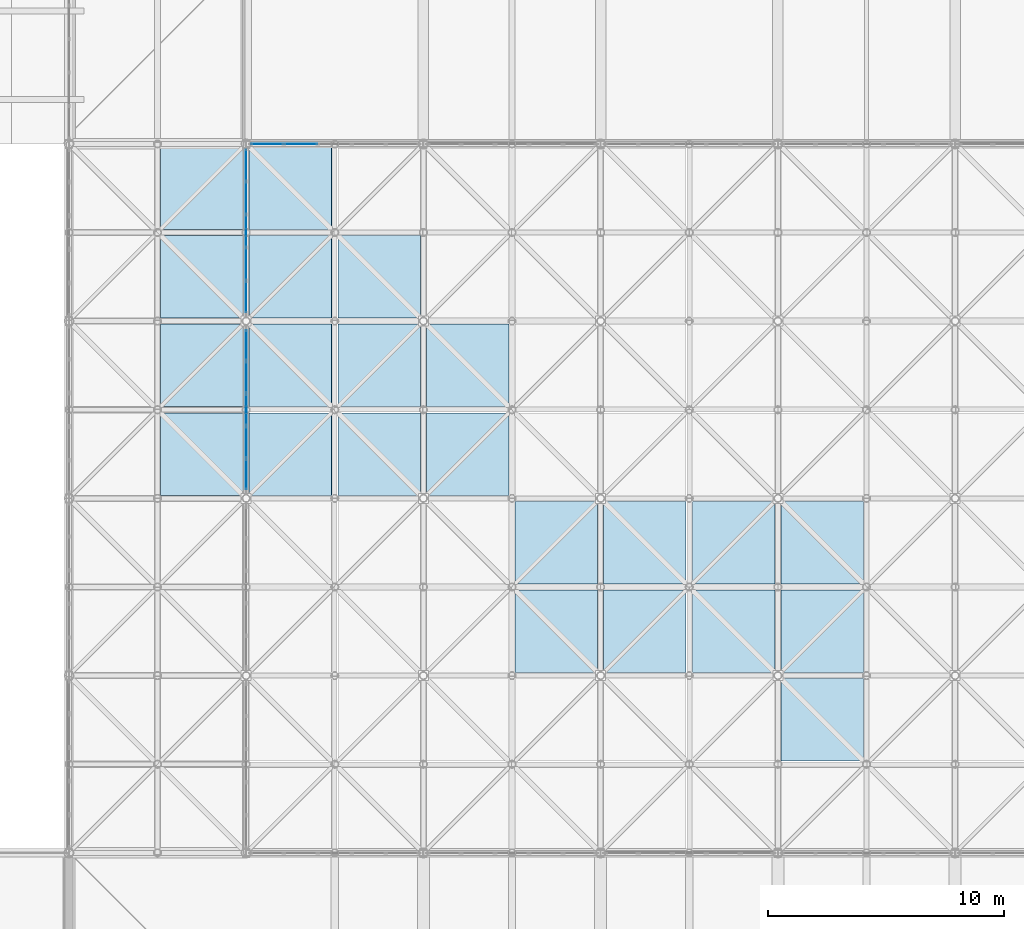
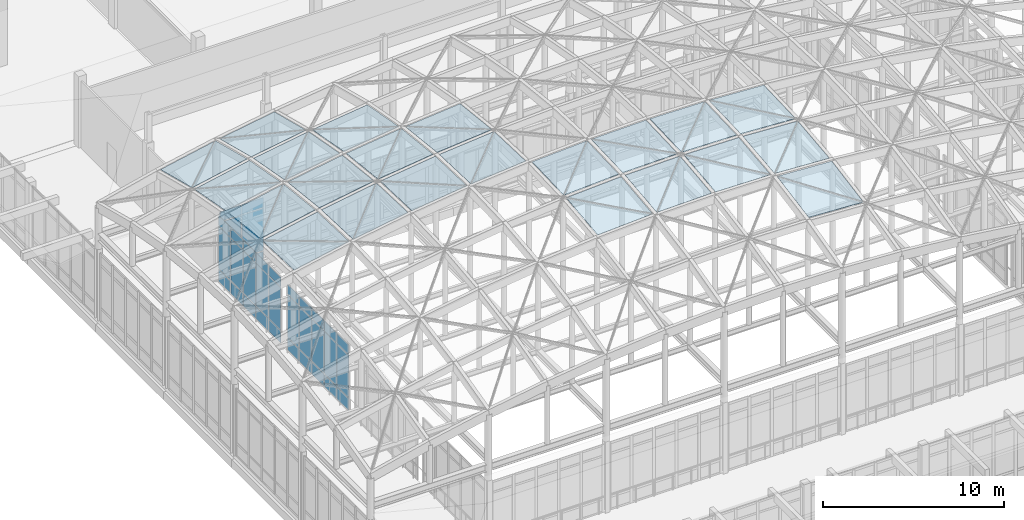
# One storey, part 81 of 131: 58 plates, 4 elements without a shape of their own.
"""IFC4 building model written with IfcOpenShell, lengths in metres."""

from ifc_helpers import new_model, si_unit, direction, frame, origin, origin_2d, place, context, subcontext, project, spatial, polyline, rectangle, outline, extrude, material, layer, layer_set, type_object, element, aggregate, save


model = new_model("IFC4")

# Units and contexts
model_context = context("Model", 3, precision=1e-05, world=origin(), true_north=direction((0.0, 1.0)))
body_context = subcontext(model_context, "Body", "Model", "MODEL_VIEW")
ifc_project = project(units=[si_unit("LENGTHUNIT", "METRE"), si_unit("AREAUNIT", "SQUARE_METRE"), si_unit("VOLUMEUNIT", "CUBIC_METRE"), si_unit("PLANEANGLEUNIT", "RADIAN"), si_unit("MASSUNIT", "GRAM", prefix="KILO")], contexts=[model_context])

# Site, building, storey
site_placement = place(None, origin())
site = spatial("IfcSite", under=ifc_project, at=site_placement, CompositionType="ELEMENT")
building_placement = place(site_placement, origin())
building = spatial("IfcBuilding", under=site, at=building_placement, Name="Dalvernix Boulevard General Hospital", CompositionType="ELEMENT")
storey_placement = place(building_placement, frame((0.0, 0.0, 9.300048828125)))
storey = spatial("IfcBuildingStorey", under=building, at=storey_placement, Name="L02", CompositionType="ELEMENT", Elevation=9.300048828125)

# Curtain wall, plates
ifc_material_1 = material(Name="Thermally broken aluminium and solar-control glass curtain wall", Category="aluminium")
ifc_layer_1 = layer(ifc_material_1, 0.159912109375)
ifc_layer_set_1 = layer_set([ifc_layer_1], Name="Thermally broken aluminium and solar-control glass curtain wall (CW-CW-A-70x46)")
curtain_wall_type_1 = type_object("IfcCurtainWallType", Name="CW-CW-A-70x46", PredefinedType="USERDEFINED", material=ifc_layer_set_1)
curtain_wall_1_placement = place(storey_placement, origin())
curtain_wall_1 = element("IfcCurtainWall", 1, at=curtain_wall_1_placement, inside=storey, type_object=curtain_wall_type_1, Name="L02 curtain wall CW-A-70x46 9-7", ObjectType="GLAZED FACADE", PredefinedType="USERDEFINED")
ifc_material_2 = material(Name="Double-glazed solar-control low-emissivity glass", Category="glass")
ifc_layer_2 = layer(ifc_material_2, 0.02392578125)
ifc_layer_set_2 = layer_set([ifc_layer_2], Name="Double-glazed solar-control low-emissivity glass (PLT-CW-P1)")
plate_type_1 = type_object("IfcPlateType", Name="PLT-CW-P1", PredefinedType="CURTAIN_PANEL", material=ifc_layer_set_2)
plate_1_placement = place(storey_placement, frame((67.5, 60.594970703125, 0.059814453125), z_axis=(0.0, 0.0, 1.0), x_axis=(0.0, -1.0, 0.0)))
plate_1 = element("IfcPlate", 2, at=plate_1_placement, type_object=plate_type_1, Name="CW-A-70x46 panel 1.1", PredefinedType="CURTAIN_PANEL", context=body_context, shape_type="SweptSolid", body=[
    extrude(rectangle(XDim=1.31005859375, YDim=0.02392578125, at=origin_2d()), origin(), (0.0, 0.0, 1.0), 0.81005859375),
])
plate_2_placement = place(storey_placement, frame((67.5, 60.594970703125, 0.9296875), z_axis=(0.0, 0.0, 1.0), x_axis=(0.0, -1.0, 0.0)))
plate_2 = element("IfcPlate", 3, at=plate_2_placement, type_object=plate_type_1, Name="CW-A-70x46 panel 1.2", PredefinedType="CURTAIN_PANEL", context=body_context, shape_type="SweptSolid", body=[
    extrude(rectangle(XDim=1.31005859375, YDim=0.02392578125, at=origin_2d()), origin(), (0.0, 0.0, 1.0), 2.840087890625),
])
plate_3_placement = place(storey_placement, frame((67.5, 60.594970703125, 3.830078125), z_axis=(0.0, 0.0, 1.0), x_axis=(0.0, -1.0, 0.0)))
plate_3 = element("IfcPlate", 4, at=plate_3_placement, type_object=plate_type_1, Name="CW-A-70x46 panel 1.3", PredefinedType="CURTAIN_PANEL", context=body_context, shape_type="SweptSolid", body=[
    extrude(rectangle(XDim=1.31005859375, YDim=0.02392578125, at=origin_2d()), origin(), (0.0, 0.0, 1.0), 0.659912109375),
])
plate_4_placement = place(storey_placement, frame((67.5, 59.2099609375, 0.059814453125), z_axis=(0.0, 0.0, 1.0), x_axis=(0.0, -1.0, 0.0)))
plate_4 = element("IfcPlate", 5, at=plate_4_placement, type_object=plate_type_1, Name="CW-A-70x46 panel 2.1", PredefinedType="CURTAIN_PANEL", context=body_context, shape_type="SweptSolid", body=[
    extrude(rectangle(XDim=1.340087890625, YDim=0.02392578125, at=origin_2d()), origin(), (0.0, 0.0, 1.0), 0.81005859375),
])
plate_5_placement = place(storey_placement, frame((67.5, 59.2099609375, 0.9296875), z_axis=(0.0, 0.0, 1.0), x_axis=(0.0, -1.0, 0.0)))
plate_5 = element("IfcPlate", 6, at=plate_5_placement, type_object=plate_type_1, Name="CW-A-70x46 panel 2.2", PredefinedType="CURTAIN_PANEL", context=body_context, shape_type="SweptSolid", body=[
    extrude(rectangle(XDim=1.340087890625, YDim=0.02392578125, at=origin_2d()), origin(), (0.0, 0.0, 1.0), 2.840087890625),
])
plate_6_placement = place(storey_placement, frame((67.5, 59.2099609375, 3.830078125), z_axis=(0.0, 0.0, 1.0), x_axis=(0.0, -1.0, 0.0)))
plate_6 = element("IfcPlate", 7, at=plate_6_placement, type_object=plate_type_1, Name="CW-A-70x46 panel 2.3", PredefinedType="CURTAIN_PANEL", context=body_context, shape_type="SweptSolid", body=[
    extrude(rectangle(XDim=1.340087890625, YDim=0.02392578125, at=origin_2d()), origin(), (0.0, 0.0, 1.0), 0.659912109375),
])
plate_7_placement = place(storey_placement, frame((67.5, 57.81005859375, 0.059814453125), z_axis=(0.0, 0.0, 1.0), x_axis=(0.0, -1.0, 0.0)))
plate_7 = element("IfcPlate", 8, at=plate_7_placement, type_object=plate_type_1, Name="CW-A-70x46 panel 3.1", PredefinedType="CURTAIN_PANEL", context=body_context, shape_type="SweptSolid", body=[
    extrude(rectangle(XDim=1.340087890625, YDim=0.02392578125, at=origin_2d()), origin(), (0.0, 0.0, 1.0), 0.81005859375),
])
plate_8_placement = place(storey_placement, frame((67.5, 57.81005859375, 0.9296875), z_axis=(0.0, 0.0, 1.0), x_axis=(0.0, -1.0, 0.0)))
plate_8 = element("IfcPlate", 9, at=plate_8_placement, type_object=plate_type_1, Name="CW-A-70x46 panel 3.2", PredefinedType="CURTAIN_PANEL", context=body_context, shape_type="SweptSolid", body=[
    extrude(rectangle(XDim=1.340087890625, YDim=0.02392578125, at=origin_2d()), origin(), (0.0, 0.0, 1.0), 2.840087890625),
])
plate_9_placement = place(storey_placement, frame((67.5, 57.81005859375, 3.830078125), z_axis=(0.0, 0.0, 1.0), x_axis=(0.0, -1.0, 0.0)))
plate_9 = element("IfcPlate", 10, at=plate_9_placement, type_object=plate_type_1, Name="CW-A-70x46 panel 3.3", PredefinedType="CURTAIN_PANEL", context=body_context, shape_type="SweptSolid", body=[
    extrude(rectangle(XDim=1.340087890625, YDim=0.02392578125, at=origin_2d()), origin(), (0.0, 0.0, 1.0), 0.659912109375),
])
plate_10_placement = place(storey_placement, frame((67.5, 56.409912109375, 0.059814453125), z_axis=(0.0, 0.0, 1.0), x_axis=(0.0, -1.0, 0.0)))
plate_10 = element("IfcPlate", 11, at=plate_10_placement, type_object=plate_type_1, Name="CW-A-70x46 panel 4.1", PredefinedType="CURTAIN_PANEL", context=body_context, shape_type="SweptSolid", body=[
    extrude(rectangle(XDim=1.340087890625, YDim=0.02392578125, at=origin_2d()), origin(), (0.0, 0.0, 1.0), 0.81005859375),
])
plate_11_placement = place(storey_placement, frame((67.5, 56.409912109375, 0.9296875), z_axis=(0.0, 0.0, 1.0), x_axis=(0.0, -1.0, 0.0)))
plate_11 = element("IfcPlate", 12, at=plate_11_placement, type_object=plate_type_1, Name="CW-A-70x46 panel 4.2", PredefinedType="CURTAIN_PANEL", context=body_context, shape_type="SweptSolid", body=[
    extrude(rectangle(XDim=1.340087890625, YDim=0.02392578125, at=origin_2d()), origin(), (0.0, 0.0, 1.0), 2.840087890625),
])
plate_12_placement = place(storey_placement, frame((67.5, 56.409912109375, 3.830078125), z_axis=(0.0, 0.0, 1.0), x_axis=(0.0, -1.0, 0.0)))
plate_12 = element("IfcPlate", 13, at=plate_12_placement, type_object=plate_type_1, Name="CW-A-70x46 panel 4.3", PredefinedType="CURTAIN_PANEL", context=body_context, shape_type="SweptSolid", body=[
    extrude(rectangle(XDim=1.340087890625, YDim=0.02392578125, at=origin_2d()), origin(), (0.0, 0.0, 1.0), 0.659912109375),
])
plate_13_placement = place(storey_placement, frame((67.5, 55.02490234375, 0.059814453125), z_axis=(0.0, 0.0, 1.0), x_axis=(0.0, -1.0, 0.0)))
plate_13 = element("IfcPlate", 14, at=plate_13_placement, type_object=plate_type_1, Name="CW-A-70x46 panel 5.1", PredefinedType="CURTAIN_PANEL", context=body_context, shape_type="SweptSolid", body=[
    extrude(rectangle(XDim=1.31005859375, YDim=0.02392578125, at=origin_2d()), origin(), (0.0, 0.0, 1.0), 0.81005859375),
])
plate_14_placement = place(storey_placement, frame((67.5, 55.02490234375, 0.9296875), z_axis=(0.0, 0.0, 1.0), x_axis=(0.0, -1.0, 0.0)))
plate_14 = element("IfcPlate", 15, at=plate_14_placement, type_object=plate_type_1, Name="CW-A-70x46 panel 5.2", PredefinedType="CURTAIN_PANEL", context=body_context, shape_type="SweptSolid", body=[
    extrude(rectangle(XDim=1.31005859375, YDim=0.02392578125, at=origin_2d()), origin(), (0.0, 0.0, 1.0), 2.840087890625),
])
plate_15_placement = place(storey_placement, frame((67.5, 55.02490234375, 3.830078125), z_axis=(0.0, 0.0, 1.0), x_axis=(0.0, -1.0, 0.0)))
plate_15 = element("IfcPlate", 16, at=plate_15_placement, type_object=plate_type_1, Name="CW-A-70x46 panel 5.3", PredefinedType="CURTAIN_PANEL", context=body_context, shape_type="SweptSolid", body=[
    extrude(rectangle(XDim=1.31005859375, YDim=0.02392578125, at=origin_2d()), origin(), (0.0, 0.0, 1.0), 0.659912109375),
])
aggregate(curtain_wall_1, [plate_1, plate_2, plate_3, plate_4, plate_5, plate_6, plate_7, plate_8, plate_9, plate_10, plate_11, plate_12, plate_13, plate_14, plate_15])

ifc_layer_3 = layer(ifc_material_1, 0.179931640625)
ifc_layer_set_3 = layer_set([ifc_layer_3], Name="Thermally broken aluminium and solar-control glass curtain wall (CW-CW-B-72x46)")
curtain_wall_type_2 = type_object("IfcCurtainWallType", Name="CW-CW-B-72x46", PredefinedType="USERDEFINED", material=ifc_layer_set_3)
curtain_wall_2_placement = place(storey_placement, origin())
curtain_wall_2 = element("IfcCurtainWall", 17, at=curtain_wall_2_placement, inside=storey, type_object=curtain_wall_type_2, Name="L02 curtain wall CW-B-72x46 9-8", ObjectType="GLAZED FACADE", PredefinedType="USERDEFINED")
ifc_layer_4 = layer(ifc_material_2, 0.028076171875)
ifc_layer_set_4 = layer_set([ifc_layer_4], Name="Double-glazed solar-control low-emissivity glass (PLT-CW-P2)")
plate_type_2 = type_object("IfcPlateType", Name="PLT-CW-P2", PredefinedType="CURTAIN_PANEL", material=ifc_layer_set_4)
plate_16_placement = place(storey_placement, frame((69.81396484375, 61.5, 0.06494140625), z_axis=(0.0, 0.0, 1.0), x_axis=(-1.0, 0.0, 0.0)))
plate_16 = element("IfcPlate", 18, at=plate_16_placement, type_object=plate_type_2, Name="CW-B-72x46 panel 4.1", PredefinedType="CURTAIN_PANEL", context=body_context, shape_type="SweptSolid", body=[
    extrude(rectangle(XDim=1.37109375, YDim=0.028076171875, at=origin_2d()), origin(), (0.0, 0.0, 1.0), 0.802490234375),
])
plate_17_placement = place(storey_placement, frame((69.81396484375, 61.5, 0.932373046875), z_axis=(0.0, 0.0, 1.0), x_axis=(-1.0, 0.0, 0.0)))
plate_17 = element("IfcPlate", 19, at=plate_17_placement, type_object=plate_type_2, Name="CW-B-72x46 panel 4.2", PredefinedType="CURTAIN_PANEL", context=body_context, shape_type="SweptSolid", body=[
    extrude(rectangle(XDim=1.37109375, YDim=0.028076171875, at=origin_2d()), origin(), (0.0, 0.0, 1.0), 2.8349609375),
])
plate_18_placement = place(storey_placement, frame((69.81396484375, 61.5, 3.83251953125), z_axis=(0.0, 0.0, 1.0), x_axis=(-1.0, 0.0, 0.0)))
plate_18 = element("IfcPlate", 20, at=plate_18_placement, type_object=plate_type_2, Name="CW-B-72x46 panel 4.3", PredefinedType="CURTAIN_PANEL", context=body_context, shape_type="SweptSolid", body=[
    extrude(rectangle(XDim=1.37109375, YDim=0.028076171875, at=origin_2d()), origin(), (0.0, 0.0, 1.0), 0.652587890625),
])
plate_19_placement = place(storey_placement, frame((68.394287109375, 61.5, 0.06494140625), z_axis=(0.0, 0.0, 1.0), x_axis=(-1.0, 0.0, 0.0)))
plate_19 = element("IfcPlate", 21, at=plate_19_placement, type_object=plate_type_2, Name="CW-B-72x46 panel 5.1", PredefinedType="CURTAIN_PANEL", context=body_context, shape_type="SweptSolid", body=[
    extrude(rectangle(XDim=1.33837890625, YDim=0.028076171875, at=origin_2d()), origin(), (0.0, 0.0, 1.0), 0.802490234375),
])
plate_20_placement = place(storey_placement, frame((68.394287109375, 61.5, 0.932373046875), z_axis=(0.0, 0.0, 1.0), x_axis=(-1.0, 0.0, 0.0)))
plate_20 = element("IfcPlate", 22, at=plate_20_placement, type_object=plate_type_2, Name="CW-B-72x46 panel 5.2", PredefinedType="CURTAIN_PANEL", context=body_context, shape_type="SweptSolid", body=[
    extrude(rectangle(XDim=1.33837890625, YDim=0.028076171875, at=origin_2d()), origin(), (0.0, 0.0, 1.0), 2.8349609375),
])
plate_21_placement = place(storey_placement, frame((68.394287109375, 61.5, 3.83251953125), z_axis=(0.0, 0.0, 1.0), x_axis=(-1.0, 0.0, 0.0)))
plate_21 = element("IfcPlate", 23, at=plate_21_placement, type_object=plate_type_2, Name="CW-B-72x46 panel 5.3", PredefinedType="CURTAIN_PANEL", context=body_context, shape_type="SweptSolid", body=[
    extrude(rectangle(XDim=1.33837890625, YDim=0.028076171875, at=origin_2d()), origin(), (0.0, 0.0, 1.0), 0.652587890625),
])
aggregate(curtain_wall_2, [plate_16, plate_17, plate_18, plate_19, plate_20, plate_21])

ifc_layer_5 = layer(ifc_material_1, 0.199951171875)
ifc_layer_set_5 = layer_set([ifc_layer_5], Name="Thermally broken aluminium and solar-control glass curtain wall (CW-CW-C-69x46)")
curtain_wall_type_3 = type_object("IfcCurtainWallType", Name="CW-CW-C-69x46", PredefinedType="USERDEFINED", material=ifc_layer_set_5)
curtain_wall_3_placement = place(storey_placement, origin())
curtain_wall_3 = element("IfcCurtainWall", 24, at=curtain_wall_3_placement, inside=storey, type_object=curtain_wall_type_3, Name="L02 curtain wall CW-C-69x46 9-6", ObjectType="GLAZED FACADE", PredefinedType="USERDEFINED")
ifc_layer_6 = layer(ifc_material_2, 0.035888671875)
ifc_layer_set_6 = layer_set([ifc_layer_6], Name="Double-glazed solar-control low-emissivity glass (PLT-CW-P3)")
plate_type_3 = type_object("IfcPlateType", Name="PLT-CW-P3", PredefinedType="CURTAIN_PANEL", material=ifc_layer_set_6)
plate_22_placement = place(storey_placement, frame((67.5, 52.984619140625, 0.070068359375), z_axis=(0.0, 0.0, 1.0), x_axis=(0.0, -1.0, 0.0)))
plate_22 = element("IfcPlate", 25, at=plate_22_placement, type_object=plate_type_3, Name="CW-C-69x46 panel 1.1", PredefinedType="CURTAIN_PANEL", context=body_context, shape_type="SweptSolid", body=[
    extrude(rectangle(XDim=1.27099609375, YDim=0.035888671875, at=origin_2d()), origin(), (0.0, 0.0, 1.0), 0.794921875),
])
plate_23_placement = place(storey_placement, frame((67.5, 52.984619140625, 0.934814453125), z_axis=(0.0, 0.0, 1.0), x_axis=(0.0, -1.0, 0.0)))
plate_23 = element("IfcPlate", 26, at=plate_23_placement, type_object=plate_type_3, Name="CW-C-69x46 panel 1.2", PredefinedType="CURTAIN_PANEL", context=body_context, shape_type="SweptSolid", body=[
    extrude(rectangle(XDim=1.27099609375, YDim=0.035888671875, at=origin_2d()), origin(), (0.0, 0.0, 1.0), 2.830078125),
])
plate_24_placement = place(storey_placement, frame((67.5, 52.984619140625, 3.8349609375), z_axis=(0.0, 0.0, 1.0), x_axis=(0.0, -1.0, 0.0)))
plate_24 = element("IfcPlate", 27, at=plate_24_placement, type_object=plate_type_3, Name="CW-C-69x46 panel 1.3", PredefinedType="CURTAIN_PANEL", context=body_context, shape_type="SweptSolid", body=[
    extrude(rectangle(XDim=1.27099609375, YDim=0.035888671875, at=origin_2d()), origin(), (0.0, 0.0, 1.0), 0.64501953125),
])
plate_25_placement = place(storey_placement, frame((67.5, 51.6259765625, 0.070068359375), z_axis=(0.0, 0.0, 1.0), x_axis=(0.0, -1.0, 0.0)))
plate_25 = element("IfcPlate", 28, at=plate_25_placement, type_object=plate_type_3, Name="CW-C-69x46 panel 2.1", PredefinedType="CURTAIN_PANEL", context=body_context, shape_type="SweptSolid", body=[
    extrude(rectangle(XDim=1.305908203125, YDim=0.035888671875, at=origin_2d()), origin(), (0.0, 0.0, 1.0), 0.794921875),
])
plate_26_placement = place(storey_placement, frame((67.5, 51.6259765625, 0.934814453125), z_axis=(0.0, 0.0, 1.0), x_axis=(0.0, -1.0, 0.0)))
plate_26 = element("IfcPlate", 29, at=plate_26_placement, type_object=plate_type_3, Name="CW-C-69x46 panel 2.2", PredefinedType="CURTAIN_PANEL", context=body_context, shape_type="SweptSolid", body=[
    extrude(rectangle(XDim=1.305908203125, YDim=0.035888671875, at=origin_2d()), origin(), (0.0, 0.0, 1.0), 2.830078125),
])
plate_27_placement = place(storey_placement, frame((67.5, 51.6259765625, 3.8349609375), z_axis=(0.0, 0.0, 1.0), x_axis=(0.0, -1.0, 0.0)))
plate_27 = element("IfcPlate", 30, at=plate_27_placement, type_object=plate_type_3, Name="CW-C-69x46 panel 2.3", PredefinedType="CURTAIN_PANEL", context=body_context, shape_type="SweptSolid", body=[
    extrude(rectangle(XDim=1.305908203125, YDim=0.035888671875, at=origin_2d()), origin(), (0.0, 0.0, 1.0), 0.64501953125),
])
plate_28_placement = place(storey_placement, frame((67.5, 50.25, 0.070068359375), z_axis=(0.0, 0.0, 1.0), x_axis=(0.0, -1.0, 0.0)))
plate_28 = element("IfcPlate", 31, at=plate_28_placement, type_object=plate_type_3, Name="CW-C-69x46 panel 3.1", PredefinedType="CURTAIN_PANEL", context=body_context, shape_type="SweptSolid", body=[
    extrude(rectangle(XDim=1.305908203125, YDim=0.035888671875, at=origin_2d()), origin(), (0.0, 0.0, 1.0), 0.794921875),
])
plate_29_placement = place(storey_placement, frame((67.5, 50.25, 0.934814453125), z_axis=(0.0, 0.0, 1.0), x_axis=(0.0, -1.0, 0.0)))
plate_29 = element("IfcPlate", 32, at=plate_29_placement, type_object=plate_type_3, Name="CW-C-69x46 panel 3.2", PredefinedType="CURTAIN_PANEL", context=body_context, shape_type="SweptSolid", body=[
    extrude(rectangle(XDim=1.305908203125, YDim=0.035888671875, at=origin_2d()), origin(), (0.0, 0.0, 1.0), 2.830078125),
])
plate_30_placement = place(storey_placement, frame((67.5, 50.25, 3.8349609375), z_axis=(0.0, 0.0, 1.0), x_axis=(0.0, -1.0, 0.0)))
plate_30 = element("IfcPlate", 33, at=plate_30_placement, type_object=plate_type_3, Name="CW-C-69x46 panel 3.3", PredefinedType="CURTAIN_PANEL", context=body_context, shape_type="SweptSolid", body=[
    extrude(rectangle(XDim=1.305908203125, YDim=0.035888671875, at=origin_2d()), origin(), (0.0, 0.0, 1.0), 0.64501953125),
])
plate_31_placement = place(storey_placement, frame((67.5, 48.8740234375, 0.070068359375), z_axis=(0.0, 0.0, 1.0), x_axis=(0.0, -1.0, 0.0)))
plate_31 = element("IfcPlate", 34, at=plate_31_placement, type_object=plate_type_3, Name="CW-C-69x46 panel 4.1", PredefinedType="CURTAIN_PANEL", context=body_context, shape_type="SweptSolid", body=[
    extrude(rectangle(XDim=1.305908203125, YDim=0.035888671875, at=origin_2d()), origin(), (0.0, 0.0, 1.0), 0.794921875),
])
plate_32_placement = place(storey_placement, frame((67.5, 48.8740234375, 0.934814453125), z_axis=(0.0, 0.0, 1.0), x_axis=(0.0, -1.0, 0.0)))
plate_32 = element("IfcPlate", 35, at=plate_32_placement, type_object=plate_type_3, Name="CW-C-69x46 panel 4.2", PredefinedType="CURTAIN_PANEL", context=body_context, shape_type="SweptSolid", body=[
    extrude(rectangle(XDim=1.305908203125, YDim=0.035888671875, at=origin_2d()), origin(), (0.0, 0.0, 1.0), 2.830078125),
])
plate_33_placement = place(storey_placement, frame((67.5, 48.8740234375, 3.8349609375), z_axis=(0.0, 0.0, 1.0), x_axis=(0.0, -1.0, 0.0)))
plate_33 = element("IfcPlate", 36, at=plate_33_placement, type_object=plate_type_3, Name="CW-C-69x46 panel 4.3", PredefinedType="CURTAIN_PANEL", context=body_context, shape_type="SweptSolid", body=[
    extrude(rectangle(XDim=1.305908203125, YDim=0.035888671875, at=origin_2d()), origin(), (0.0, 0.0, 1.0), 0.64501953125),
])
plate_34_placement = place(storey_placement, frame((67.5, 47.515380859375, 0.070068359375), z_axis=(0.0, 0.0, 1.0), x_axis=(0.0, -1.0, 0.0)))
plate_34 = element("IfcPlate", 37, at=plate_34_placement, type_object=plate_type_3, Name="CW-C-69x46 panel 5.1", PredefinedType="CURTAIN_PANEL", context=body_context, shape_type="SweptSolid", body=[
    extrude(rectangle(XDim=1.27099609375, YDim=0.035888671875, at=origin_2d()), origin(), (0.0, 0.0, 1.0), 0.794921875),
])
plate_35_placement = place(storey_placement, frame((67.5, 47.515380859375, 0.934814453125), z_axis=(0.0, 0.0, 1.0), x_axis=(0.0, -1.0, 0.0)))
plate_35 = element("IfcPlate", 38, at=plate_35_placement, type_object=plate_type_3, Name="CW-C-69x46 panel 5.2", PredefinedType="CURTAIN_PANEL", context=body_context, shape_type="SweptSolid", body=[
    extrude(rectangle(XDim=1.27099609375, YDim=0.035888671875, at=origin_2d()), origin(), (0.0, 0.0, 1.0), 2.830078125),
])
plate_36_placement = place(storey_placement, frame((67.5, 47.515380859375, 3.8349609375), z_axis=(0.0, 0.0, 1.0), x_axis=(0.0, -1.0, 0.0)))
plate_36 = element("IfcPlate", 39, at=plate_36_placement, type_object=plate_type_3, Name="CW-C-69x46 panel 5.3", PredefinedType="CURTAIN_PANEL", context=body_context, shape_type="SweptSolid", body=[
    extrude(rectangle(XDim=1.27099609375, YDim=0.035888671875, at=origin_2d()), origin(), (0.0, 0.0, 1.0), 0.64501953125),
])
aggregate(curtain_wall_3, [plate_22, plate_23, plate_24, plate_25, plate_26, plate_27, plate_28, plate_29, plate_30, plate_31, plate_32, plate_33, plate_34, plate_35, plate_36])

# Roof, plates
ifc_material_3 = material(Name="Polychrome Catalan glazed terracotta tile roof system", Category="masonry")
roof_type = type_object("IfcRoofType", Name="ROOF-HIP-01", PredefinedType="HIP_ROOF", material=ifc_material_3)
roof_placement = place(storey_placement, origin())
roof = element("IfcRoof", 40, at=roof_placement, inside=storey, type_object=roof_type, Name="V1 Arrival Hall and Botanical Conservatory Dome Vault Gridshell Roof", PredefinedType="HIP_ROOF")
ifc_material_4 = material(Name="Laminated solar-control glass", Category="glass")
ifc_layer_7 = layer(ifc_material_4, 0.031982421875)
ifc_layer_set_7 = layer_set([ifc_layer_7], Name="Laminated solar-control glass (PLT-GP-01)")
plate_type_4 = type_object("IfcPlateType", Name="PLT-GP-01", PredefinedType="SHEET", material=ifc_layer_set_7)
plate_37_placement = place(storey_placement, frame((63.8798828125, 46.6298828125, 10.9306640625), z_axis=(-0.199268791461, 0.035894412762, 0.979287261166), x_axis=(0.979918732622, 0.0, 0.199397285478)))
plate_37 = element("IfcPlate", 41, at=plate_37_placement, type_object=plate_type_4, Name="Gridshell solar-control glazing panel 2-5", PredefinedType="SHEET", context=body_context, shape_type="SweptSolid", body=[
    extrude(outline(polyline([(0.0, 0.0), (3.5617590100154413, -3.469446951953614e-18), (3.5362501775958526, 3.4924849744621778), (-0.02550883241958878, 3.4924849744621778), (0.0, 0.0)])), origin(), (0.0, 0.0, -1.0), 0.031982421875),
])
plate_38_placement = place(storey_placement, frame((63.8798828125, 50.3798828125, 10.783447265625), z_axis=(-0.19831517465, 0.107131084038, 0.974265888932), x_axis=(0.97990533738, 0.0, 0.19946310379)))
plate_38 = element("IfcPlate", 42, at=plate_38_placement, type_object=plate_type_4, Name="Gridshell solar-control glazing panel 2-6", PredefinedType="SHEET", context=body_context, shape_type="SweptSolid", body=[
    extrude(outline(polyline([(0.0, 0.0), (3.5618076990278587, 1.3877787807814457e-17), (3.485255941421085, 3.5104372755161974), (-0.07655175760677342, 3.5104372755161974), (0.0, 0.0)])), origin(), (0.0, 0.0, -1.0), 0.031982421875),
])
plate_39_placement = place(storey_placement, frame((63.8798828125, 54.1298828125, 10.361572265625), z_axis=(-0.196288835097, 0.176791507947, 0.964476778328), x_axis=(0.979912244828, 5.843845e-06, 0.199429166377)))
plate_39 = element("IfcPlate", 43, at=plate_39_placement, type_object=plate_type_4, Name="Gridshell solar-control glazing panel 2-7", PredefinedType="SHEET", context=body_context, shape_type="SweptSolid", body=[
    extrude(outline(polyline([(0.0, 0.0), (3.5617590080695924, -1.3877787807814457e-17), (3.434214849793667, 3.5460708664458793), (-0.127592847037248, 3.5461131616877006), (0.0, 0.0)])), origin(), (0.0, 0.0, -1.0), 0.031982421875),
])
plate_40_placement = place(storey_placement, frame((63.8798828125, 57.8798828125, 9.66455078125), z_axis=(-0.193375729182, 0.243896717211, 0.95032637483), x_axis=(0.979918732622, 0.0, 0.199397285478)))
plate_40 = element("IfcPlate", 44, at=plate_40_placement, type_object=plate_type_4, Name="Gridshell solar-control glazing panel 2-8", PredefinedType="SHEET", context=body_context, shape_type="SweptSolid", body=[
    extrude(outline(polyline([(0.0, 0.0), (3.5617590100154417, 2.7755575615628914e-17), (3.3831485021004206, 3.59891731502979), (-0.17861050791502145, 3.59891731502979), (0.0, 0.0)])), origin(), (0.0, 0.0, -1.0), 0.031982421875),
])
plate_41_placement = place(storey_placement, frame((67.6298828125, 46.6298828125, 11.68896484375), z_axis=(-0.164179820632, 0.036131972285, 0.985768465247), x_axis=(0.986412565919, 0.0, 0.164287095653)))
plate_41 = element("IfcPlate", 45, at=plate_41_placement, type_object=plate_type_4, Name="Gridshell solar-control glazing panel 3-5", PredefinedType="SHEET", context=body_context, shape_type="SweptSolid", body=[
    extrude(outline(polyline([(0.0, 0.0), (3.5383109416798204, 0.0), (3.5172937448726787, 3.492514892568657), (-0.02101719680714164, 3.492514892568657), (0.0, 0.0)])), origin(), (0.0, 0.0, -1.0), 0.031982421875),
])
plate_42_placement = place(storey_placement, frame((67.6298828125, 50.3798828125, 11.5419921875), z_axis=(-0.163295130925, 0.107868764284, 0.980662546398), x_axis=(0.98641809116, -3.649466e-06, 0.164253917515)))
plate_42 = element("IfcPlate", 46, at=plate_42_placement, type_object=plate_type_4, Name="Gridshell solar-control glazing panel 3-6", PredefinedType="SHEET", context=body_context, shape_type="SweptSolid", body=[
    extrude(outline(polyline([(0.0, 0.0), (3.5383109396547825, -6.938893903907228e-18), (3.4752192440931142, 3.5107316783193228), (-0.06305159450758763, 3.5107057009988587), (0.0, 0.0)])), origin(), (0.0, 0.0, -1.0), 0.031982421875),
])
plate_43_placement = place(storey_placement, frame((67.6298828125, 54.1298828125, 11.119873046875), z_axis=(-0.161632608852, 0.177928272, 0.970678334866), x_axis=(0.986417979227, -5.958465e-06, 0.164254589655)))
plate_43 = element("IfcPlate", 47, at=plate_43_placement, type_object=plate_type_4, Name="Gridshell solar-control glazing panel 3-7", PredefinedType="SHEET", context=body_context, shape_type="SweptSolid", body=[
    extrude(outline(polyline([(0.0, 0.0), (3.538310939695806, 1.3877787807814457e-17), (3.433184850414968, 3.5468502922006024), (-0.10508598806266096, 3.5468074429126553), (0.0, 0.0)])), origin(), (0.0, 0.0, -1.0), 0.031982421875),
])
plate_44_placement = place(storey_placement, frame((67.6298828125, 57.8798828125, 10.4228515625), z_axis=(-0.159262846617, 0.24541595306, 0.956245970277), x_axis=(0.986412565919, 0.0, 0.164287095653)))
plate_44 = element("IfcPlate", 48, at=plate_44_placement, type_object=plate_type_4, Name="Gridshell solar-control glazing panel 3-8", PredefinedType="SHEET", context=body_context, shape_type="SweptSolid", body=[
    extrude(outline(polyline([(0.0, 0.0), (3.5383109416798204, -2.7755575615628914e-17), (3.391150454875617, 3.6003404484968424), (-0.1471604868042036, 3.600340448496842), (0.0, 0.0)])), origin(), (0.0, 0.0, -1.0), 0.031982421875),
])
plate_45_placement = place(storey_placement, frame((71.3798828125, 46.6298828125, 12.308837890625), z_axis=(-0.12835412545, 0.036360647474, 0.991061613521), x_axis=(0.991717409333, 1.249907e-06, 0.128439012857)))
plate_45 = element("IfcPlate", 49, at=plate_45_placement, type_object=plate_type_4, Name="Gridshell solar-control glazing panel 4-5", PredefinedType="SHEET", context=body_context, shape_type="SweptSolid", body=[
    extrude(outline(polyline([(0.0, 0.0), (3.5193683341374995, 6.938893903907228e-18), (3.502941533827231, 3.4925394976966384), (-0.016458157491141785, 3.4925483013215275), (0.0, 0.0)])), origin(), (0.0, 0.0, -1.0), 0.031982421875),
])
plate_46_placement = place(storey_placement, frame((71.3798828125, 50.3798828125, 12.161865234375), z_axis=(-0.127647235765, 0.10847601397, 0.985869736626), x_axis=(0.991721820954, 0.0, 0.128404944781)))
plate_46 = element("IfcPlate", 50, at=plate_46_placement, type_object=plate_type_4, Name="Gridshell solar-control glazing panel 4-6", PredefinedType="SHEET", context=body_context, shape_type="SweptSolid", body=[
    extrude(outline(polyline([(0.0, 0.0), (3.519368336216846, 0.0), (3.47005657397561, 3.51095227020231), (-0.049311762241235374, 3.51095227020231), (0.0, 0.0)])), origin(), (0.0, 0.0, -1.0), 0.031982421875),
])
plate_47_placement = place(storey_placement, frame((71.3798828125, 54.1298828125, 11.73974609375), z_axis=(-0.126333714561, 0.178887447793, 0.975724896468), x_axis=(0.991721820954, 0.0, 0.128404944781)))
plate_47 = element("IfcPlate", 51, at=plate_47_placement, type_object=plate_type_4, Name="Gridshell solar-control glazing panel 4-7", PredefinedType="SHEET", context=body_context, shape_type="SweptSolid", body=[
    extrude(outline(polyline([(0.0, 0.0), (3.519368336216846, 1.3877787807814457e-17), (3.4372029650571014, 3.5474564628411276), (-0.08216537115974437, 3.5474564628411276), (0.0, 0.0)])), origin(), (0.0, 0.0, -1.0), 0.031982421875),
])
plate_48_placement = place(storey_placement, frame((75.1298828125, 46.6298828125, 12.78955078125), z_axis=(-0.092088298696, 0.036473370005, 0.995082628993), x_axis=(0.99574517266, 0.0, 0.092149612719)))
plate_48 = element("IfcPlate", 52, at=plate_48_placement, type_object=plate_type_4, Name="Gridshell solar-control glazing panel 5-5", PredefinedType="SHEET", context=body_context, shape_type="SweptSolid", body=[
    extrude(outline(polyline([(0.0, 0.0), (3.505148175286846, 0.0), (3.4933595041284726, 3.492558234962992), (-0.011788671158373376, 3.492558234962992), (0.0, 0.0)])), origin(), (0.0, 0.0, -1.0), 0.031982421875),
])
plate_49_placement = place(storey_placement, frame((75.1298828125, 50.3798828125, 12.642578125), z_axis=(-0.091533494992, 0.108843157433, 0.989835737067), x_axis=(0.995751561403, 0.0, 0.092080551495)))
plate_49 = element("IfcPlate", 53, at=plate_49_placement, type_object=plate_type_4, Name="Gridshell solar-control glazing panel 5-6", PredefinedType="SHEET", context=body_context, shape_type="SweptSolid", body=[
    extrude(outline(polyline([(0.0, 0.0), (3.5051256862531015, 6.938893903907228e-18), (3.469786177720295, 3.511094011282371), (-0.03533950853280641, 3.511094011282371), (0.0, 0.0)])), origin(), (0.0, 0.0, -1.0), 0.031982421875),
])
plate_50_placement = place(storey_placement, frame((78.8798828125, 39.1298828125, 12.600830078125), z_axis=(-0.055053676914, -0.109204834535, 0.992493524801), x_axis=(0.998465077363, 0.0, 0.055384919303)))
plate_50 = element("IfcPlate", 54, at=plate_50_placement, type_object=plate_type_4, Name="Gridshell solar-control glazing panel 6-3", PredefinedType="SHEET", context=body_context, shape_type="SweptSolid", body=[
    extrude(outline(polyline([(0.0, 0.0), (3.4955998503395667, 0.0), (3.5168694983041378, 3.511234127142414), (0.021269647964571023, 3.511234127142414), (0.0, 0.0)])), origin(), (0.0, 0.0, -1.0), 0.031982421875),
])
plate_51_placement = place(storey_placement, frame((78.8798828125, 42.8798828125, 13.00390625), z_axis=(-0.055347866182, -0.036572864917, 0.997797093231), x_axis=(0.998465077363, 0.0, 0.055384919303)))
plate_51 = element("IfcPlate", 55, at=plate_51_placement, type_object=plate_type_4, Name="Gridshell solar-control glazing panel 6-4", PredefinedType="SHEET", context=body_context, shape_type="SweptSolid", body=[
    extrude(outline(polyline([(0.0, 0.0), (3.4955998503395667, 0.0), (3.502685225758152, 3.4925709434212884), (0.007085375418585642, 3.4925709434212884), (0.0, 0.0)])), origin(), (0.0, 0.0, -1.0), 0.031982421875),
])
plate_52_placement = place(storey_placement, frame((82.6298828125, 39.1298828125, 12.80419921875), z_axis=(-0.018387648427, -0.10931787203, 0.993836755831), x_axis=(0.999828895592, -3.799161e-06, 0.018498095181)))
plate_52 = element("IfcPlate", 56, at=plate_52_placement, type_object=plate_type_4, Name="Gridshell solar-control glazing panel 7-3", PredefinedType="SHEET", context=body_context, shape_type="SweptSolid", body=[
    extrude(outline(polyline([(0.0, 0.0), (3.4908294405536138, -8.673617379884035e-19), (3.4979200633367453, 3.5112913866389084), (0.007086106646612363, 3.5112647022548464), (0.0, 0.0)])), origin(), (0.0, 0.0, -1.0), 0.031982421875),
])
plate_53_placement = place(storey_placement, frame((82.6298828125, 42.8798828125, 13.20703125), z_axis=(-0.018486079754, -0.036657651535, 0.999156885298), x_axis=(0.999828887, 1.280794e-06, 0.018498559904)))
plate_53 = element("IfcPlate", 57, at=plate_53_placement, type_object=plate_type_4, Name="Gridshell solar-control glazing panel 7-4", PredefinedType="SHEET", context=body_context, shape_type="SweptSolid", body=[
    extrude(outline(polyline([(0.0, 0.0), (3.490833956769492, 4.336808689942018e-19), (3.4932049420274716, 3.492577323543224), (0.0023755015079563644, 3.492586271628004), (0.0, 0.0)])), origin(), (0.0, 0.0, -1.0), 0.031982421875),
])
plate_54_placement = place(storey_placement, frame((86.3798828125, 39.1298828125, 12.86865234375), z_axis=(0.018387648427, -0.10931787203, 0.993836755831), x_axis=(0.999828895592, 3.799161e-06, -0.018498095181)))
plate_54 = element("IfcPlate", 58, at=plate_54_placement, type_object=plate_type_4, Name="Gridshell solar-control glazing panel 8-3", PredefinedType="SHEET", context=body_context, shape_type="SweptSolid", body=[
    extrude(outline(polyline([(0.0, 0.0), (3.4908294405536138, 8.673617379884035e-19), (3.483743333907001, 3.5112647022548464), (-0.007090622783131101, 3.5112913866389084), (0.0, 0.0)])), origin(), (0.0, 0.0, -1.0), 0.031982421875),
])
plate_55_placement = place(storey_placement, frame((86.3798828125, 42.8798828125, 13.271728515625), z_axis=(0.018486079754, -0.036657651535, 0.999156885298), x_axis=(0.999828887, -1.280794e-06, -0.018498559904)))
plate_55 = element("IfcPlate", 59, at=plate_55_placement, type_object=plate_type_4, Name="Gridshell solar-control glazing panel 8-4", PredefinedType="SHEET", context=body_context, shape_type="SweptSolid", body=[
    extrude(outline(polyline([(0.0, 0.0), (3.490833956769492, -4.336808689942018e-19), (3.4884584552615356, 3.492586271628004), (-0.0023709852579797976, 3.492577323543224), (0.0, 0.0)])), origin(), (0.0, 0.0, -1.0), 0.031982421875),
])
plate_56_placement = place(storey_placement, frame((90.1298828125, 35.3798828125, 12.11669921875), z_axis=(0.054514227539, -0.180030917789, 0.982149208438), x_axis=(0.998463082976, -6.174634e-06, -0.055420861568)))
plate_56 = element("IfcPlate", 60, at=plate_56_placement, type_object=plate_type_4, Name="Gridshell solar-control glazing panel 9-2", PredefinedType="SHEET", context=body_context, shape_type="SweptSolid", body=[
    extrude(outline(polyline([(0.0, 0.0), (3.4956133784918704, 6.938893903907228e-18), (3.4601284295811583, 3.548230447419952), (-0.035471418426931293, 3.5481865621932425), (0.0, 0.0)])), origin(), (0.0, 0.0, -1.0), 0.031982421875),
])
plate_57_placement = place(storey_placement, frame((90.1298828125, 39.1298828125, 12.79443359375), z_axis=(0.055053676914, -0.109204834535, 0.992493524801), x_axis=(0.998465077363, 0.0, -0.055384919303)))
plate_57 = element("IfcPlate", 61, at=plate_57_placement, type_object=plate_type_4, Name="Gridshell solar-control glazing panel 9-3", PredefinedType="SHEET", context=body_context, shape_type="SweptSolid", body=[
    extrude(outline(polyline([(0.0, 0.0), (3.4955998503395667, 0.0), (3.4743302023749956, 3.511234127142414), (-0.021269647964571023, 3.511234127142414), (0.0, 0.0)])), origin(), (0.0, 0.0, -1.0), 0.031982421875),
])
plate_58_placement = place(storey_placement, frame((90.1298828125, 42.8798828125, 13.197509765625), z_axis=(0.055347866182, -0.036572864917, 0.997797093231), x_axis=(0.998465077363, 0.0, -0.055384919303)))
plate_58 = element("IfcPlate", 62, at=plate_58_placement, type_object=plate_type_4, Name="Gridshell solar-control glazing panel 9-4", PredefinedType="SHEET", context=body_context, shape_type="SweptSolid", body=[
    extrude(outline(polyline([(0.0, 0.0), (3.4955998503395667, 0.0), (3.488514474920981, 3.492570943421288), (-0.007085375418585642, 3.4925709434212884), (0.0, 0.0)])), origin(), (0.0, 0.0, -1.0), 0.031982421875),
])
aggregate(roof, [plate_37, plate_38, plate_39, plate_40, plate_41, plate_42, plate_43, plate_44, plate_45, plate_46, plate_47, plate_48, plate_49, plate_50, plate_51, plate_52, plate_53, plate_54, plate_55, plate_56, plate_57, plate_58])

save(model, "model.ifc")
